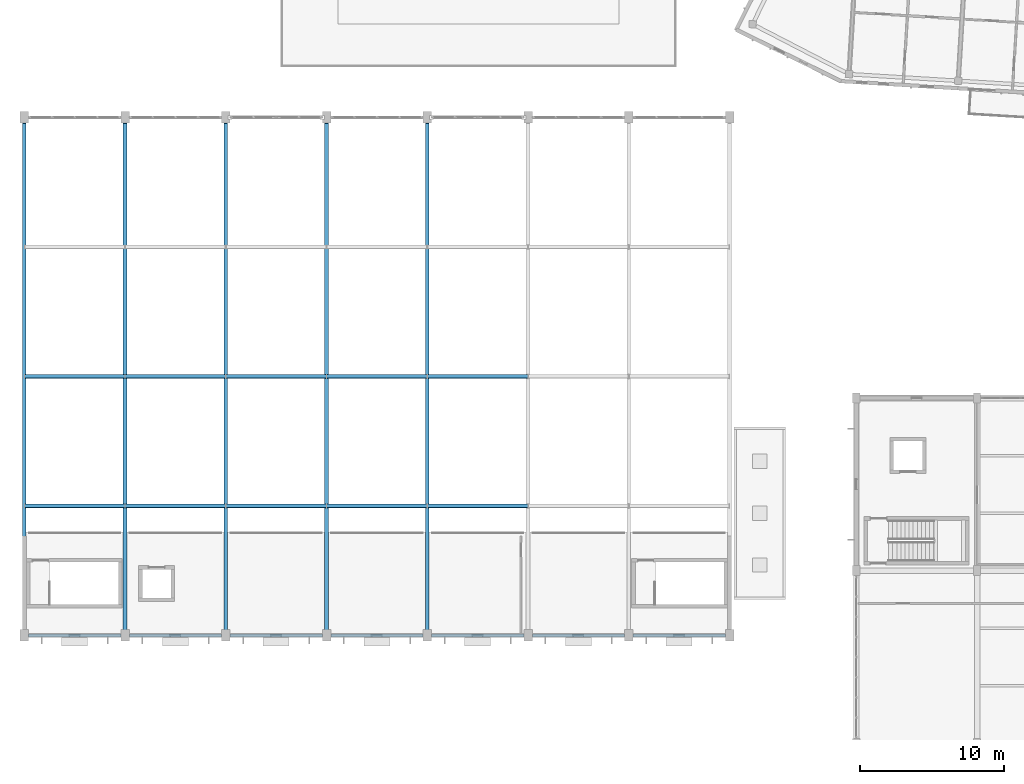
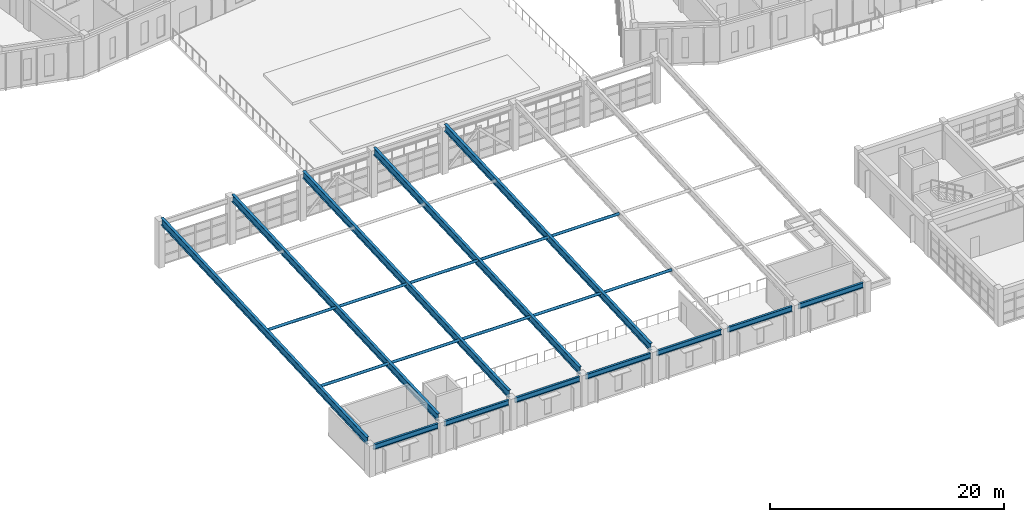
# One storey, part 6 of 150: 12 beams, 10 members.
"""IFC4 building model written with IfcOpenShell, lengths in metres."""

from ifc_helpers import new_model, si_unit, direction, frame, origin, origin_2d, place, context, subcontext, project, spatial, hollow_circle, i_section, extrude, material, material_profile, profile_set, type_object, element, save


model = new_model("IFC4")

# Units and contexts
model_context = context("Model", 3, precision=1e-05, world=origin(), true_north=direction((0.0, 1.0)))
body_context = subcontext(model_context, "Body", "Model", "MODEL_VIEW")
ifc_project = project(units=[si_unit("LENGTHUNIT", "METRE"), si_unit("AREAUNIT", "SQUARE_METRE"), si_unit("VOLUMEUNIT", "CUBIC_METRE"), si_unit("PLANEANGLEUNIT", "RADIAN"), si_unit("MASSUNIT", "GRAM", prefix="KILO")], contexts=[model_context])

# Site, building, storey
site_placement = place(None, origin())
site = spatial("IfcSite", under=ifc_project, at=site_placement, CompositionType="ELEMENT")
building_placement = place(site_placement, origin())
building = spatial("IfcBuilding", under=site, at=building_placement, Name="Kestramere Prow Commons", CompositionType="ELEMENT")
storey_placement = place(building_placement, frame((0.0, 0.0, 4.5)))
storey = spatial("IfcBuildingStorey", under=building, at=storey_placement, Name="L01", CompositionType="ELEMENT", Elevation=4.5)

# Beams
ifc_material = material(Name="Steel S355JR", Category="steel")
ifc_material_profile_1 = material_profile(ifc_material, i_section(OverallWidth=0.2666015625, OverallDepth=0.76220703125, WebThickness=0.014404296875, FlangeThickness=0.021484375, FilletRadius=0.0166015625, at=origin_2d()), Name="UB 762x267x173")
ifc_profile_set_1 = profile_set([ifc_material_profile_1], Name="Steel S355JR")
beam_type_1 = type_object("IfcBeamType", Name="BM-FP-VAL UB 762x267x173", PredefinedType="BEAM", material=ifc_profile_set_1)
for number, where, z_axis, x_axis, name in (
    (1, (9.199951171875, 7.89990234375, 3.28466796875), (0.0, 0.998951067049, 0.045790453614), (-1.0, 0.0, 0.0), "Hall Folded-Plate Valley Girder 2"),
    (2, (16.199951171875, 7.89990234375, 3.28466796875), (0.0, 0.998951067049, 0.045790453614), (-1.0, 0.0, 0.0), "Hall Folded-Plate Valley Girder 3"),
    (3, (23.199951171875, 7.89990234375, 3.28466796875), (0.0, 0.998951067049, 0.045790453614), (-1.0, 0.0, 0.0), "Hall Folded-Plate Valley Girder 4"),
    (4, (30.199951171875, 7.89990234375, 3.28466796875), (0.0, 0.998951067049, 0.045790453614), (-1.0, 0.0, 0.0), "Hall Folded-Plate Valley Girder 5"),
):
    element("IfcBeam", number, at=place(storey_placement, frame(where, z_axis=z_axis, x_axis=x_axis)), inside=storey, type_object=beam_type_1, Name=name, PredefinedType="BEAM", context=body_context, shape_type="SweptSolid", body=[
        extrude(i_section(OverallWidth=0.2666015625, OverallDepth=0.76220703125, WebThickness=0.014404296875, FlangeThickness=0.021484375, FilletRadius=0.0166015625, at=origin_2d()), origin(), (0.0, 0.0, 1.0), 35.237060546875),
    ])
ifc_material_profile_2 = material_profile(ifc_material, i_section(OverallWidth=0.2666015625, OverallDepth=0.76220703125, WebThickness=0.014404296875, FlangeThickness=0.021484375, FilletRadius=0.0166015625, at=origin_2d()), Name="UB 762x267x173")
ifc_profile_set_2 = profile_set([ifc_material_profile_2], Name="Steel S355JR")
beam_type_2 = type_object("IfcBeamType", Name="BM-FP-VAL UB 762x267x173 (EX)", PredefinedType="BEAM", material=ifc_profile_set_2)
beam_placement = place(storey_placement, frame((2.199951171875, 7.89990234375, 3.28466796875), z_axis=(0.0, 0.998951067049, 0.045790453614), x_axis=(-1.0, 0.0, 0.0)))
element("IfcBeam", 5, at=beam_placement, inside=storey, type_object=beam_type_2, Name="Hall Folded-Plate Valley Girder 1", PredefinedType="BEAM", context=body_context, shape_type="SweptSolid", body=[
    extrude(i_section(OverallWidth=0.2666015625, OverallDepth=0.76220703125, WebThickness=0.014404296875, FlangeThickness=0.021484375, FilletRadius=0.0166015625, at=origin_2d()), origin(), (0.0, 0.0, 1.0), 35.237060546875),
])
ifc_material_profile_3 = material_profile(ifc_material, i_section(OverallWidth=0.209228515625, OverallDepth=0.533203125, WebThickness=0.010009765625, FlangeThickness=0.015625, FilletRadius=0.0126953125, at=origin_2d()), Name="UB 533x210x92")
ifc_profile_set_3 = profile_set([ifc_material_profile_3], Name="Steel S355JR")
beam_type_3 = type_object("IfcBeamType", Name="BM-HL-GAL UB 533x210x92 (EX)", PredefinedType="BEAM", material=ifc_profile_set_3)
for number, where, z_axis, x_axis, name in (
    (6, (2.5, 7.5, 2.768798828125), (1.0, 0.0, 0.0), (0.0, 1.0, 0.0), "Hall Roof Eave Tie Girder 1S"),
    (7, (9.5, 7.5, 2.768798828125), (1.0, 0.0, 0.0), (0.0, 1.0, 0.0), "Hall Roof Eave Tie Girder 2S"),
    (8, (16.5, 7.5, 2.768798828125), (1.0, 0.0, 0.0), (0.0, 1.0, 0.0), "Hall Roof Eave Tie Girder 3S"),
    (9, (23.5, 7.5, 2.768798828125), (1.0, 0.0, 0.0), (0.0, 1.0, 0.0), "Hall Roof Eave Tie Girder 4S"),
    (10, (30.5, 7.5, 2.768798828125), (1.0, 0.0, 0.0), (0.0, 1.0, 0.0), "Hall Roof Eave Tie Girder 5S"),
    (11, (37.5, 7.5, 2.768798828125), (1.0, 0.0, 0.0), (0.0, 1.0, 0.0), "Hall Roof Eave Tie Girder 6S"),
    (12, (44.5, 7.5, 2.768798828125), (1.0, 0.0, 0.0), (0.0, 1.0, 0.0), "Hall Roof Eave Tie Girder 7S"),
):
    element("IfcBeam", number, at=place(storey_placement, frame(where, z_axis=z_axis, x_axis=x_axis)), inside=storey, type_object=beam_type_3, Name=name, PredefinedType="BEAM", context=body_context, shape_type="SweptSolid", body=[
        extrude(i_section(OverallWidth=0.209228515625, OverallDepth=0.533203125, WebThickness=0.010009765625, FlangeThickness=0.015625, FilletRadius=0.0126953125, at=origin_2d()), origin(), (0.0, 0.0, 1.0), 6.39990234375),
    ])

# Members
ifc_material_profile_4 = material_profile(ifc_material, hollow_circle(Radius=0.136474609375, WallThickness=0.012451171875, at=origin_2d()), Name="CHS 273x12.5")
ifc_profile_set_4 = profile_set([ifc_material_profile_4], Name="Steel S355JR")
member_type = type_object("IfcMemberType", Name="BRHL-02 CHS 273x12.5", PredefinedType="BRACE", material=ifc_profile_set_4)
for number, where, z_axis, x_axis, name in (
    (13, (2.2080078125, 16.5, 3.678955078125), (1.0, 0.0, 0.0), (0.0, 1.0, 0.0), "Hall Folded-Roof Tie Strut 1-1"),
    (14, (2.2080078125, 25.5, 4.09130859375), (1.0, 0.0, 0.0), (0.0, 1.0, 0.0), "Hall Folded-Roof Tie Strut 1-2"),
    (15, (9.2080078125, 16.5, 3.678955078125), (1.0, 0.0, 0.0), (0.0, 1.0, 0.0), "Hall Folded-Roof Tie Strut 2-1"),
    (16, (9.2080078125, 25.5, 4.09130859375), (1.0, 0.0, 0.0), (0.0, 1.0, 0.0), "Hall Folded-Roof Tie Strut 2-2"),
    (17, (16.2080078125, 16.5, 3.678955078125), (1.0, 0.0, 0.0), (0.0, 1.0, 0.0), "Hall Folded-Roof Tie Strut 3-1"),
    (18, (16.2080078125, 25.5, 4.09130859375), (1.0, 0.0, 0.0), (0.0, 1.0, 0.0), "Hall Folded-Roof Tie Strut 3-2"),
    (19, (23.2080078125, 16.5, 3.678955078125), (1.0, 0.0, 0.0), (0.0, 1.0, 0.0), "Hall Folded-Roof Tie Strut 4-1"),
    (20, (23.2080078125, 25.5, 4.09130859375), (1.0, 0.0, 0.0), (0.0, 1.0, 0.0), "Hall Folded-Roof Tie Strut 4-2"),
    (21, (30.2080078125, 16.5, 3.678955078125), (1.0, 0.0, 0.0), (0.0, 1.0, 0.0), "Hall Folded-Roof Tie Strut 5-1"),
    (22, (30.2080078125, 25.5, 4.09130859375), (1.0, 0.0, 0.0), (0.0, 1.0, 0.0), "Hall Folded-Roof Tie Strut 5-2"),
):
    element("IfcMember", number, at=place(storey_placement, frame(where, z_axis=z_axis, x_axis=x_axis)), inside=storey, type_object=member_type, Name=name, PredefinedType="BRACE", context=body_context, shape_type="SweptSolid", body=[
        extrude(hollow_circle(Radius=0.136474609375, WallThickness=0.012451171875, at=origin_2d()), origin(), (0.0, 0.0, 1.0), 6.98388671875),
    ])

save(model, "model.ifc")
